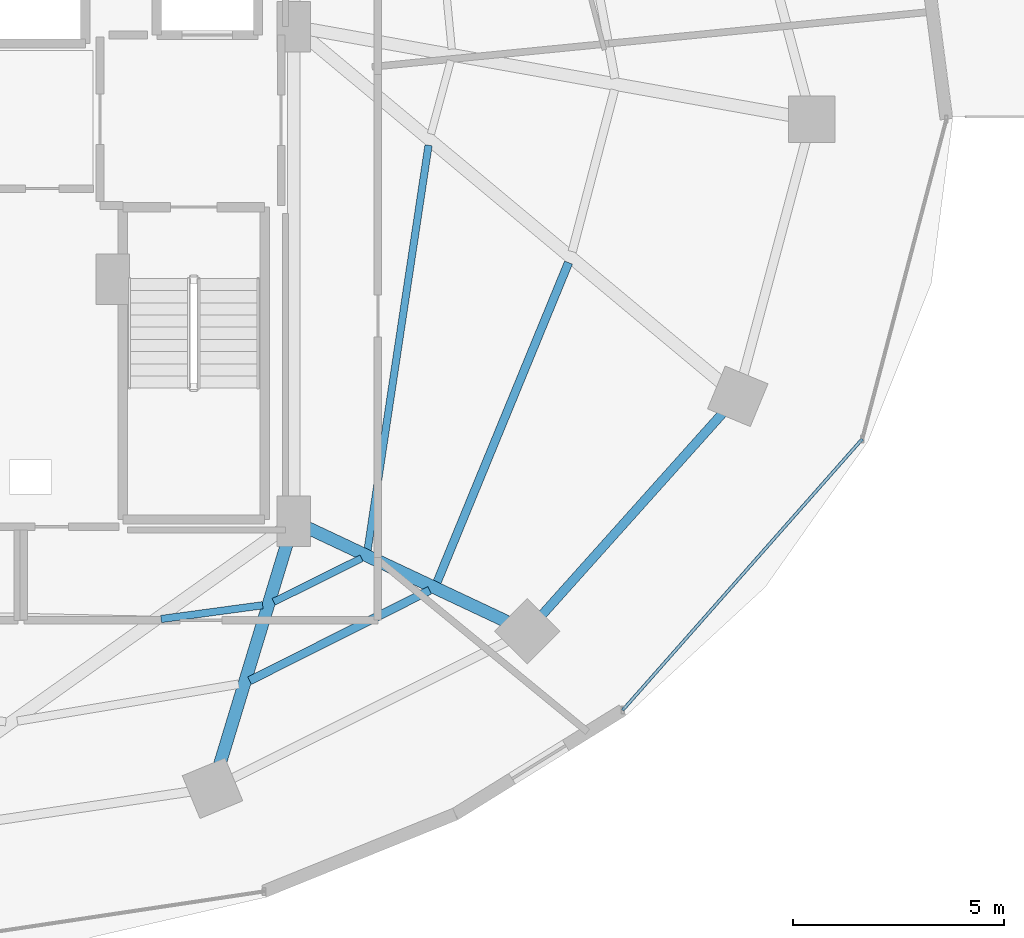
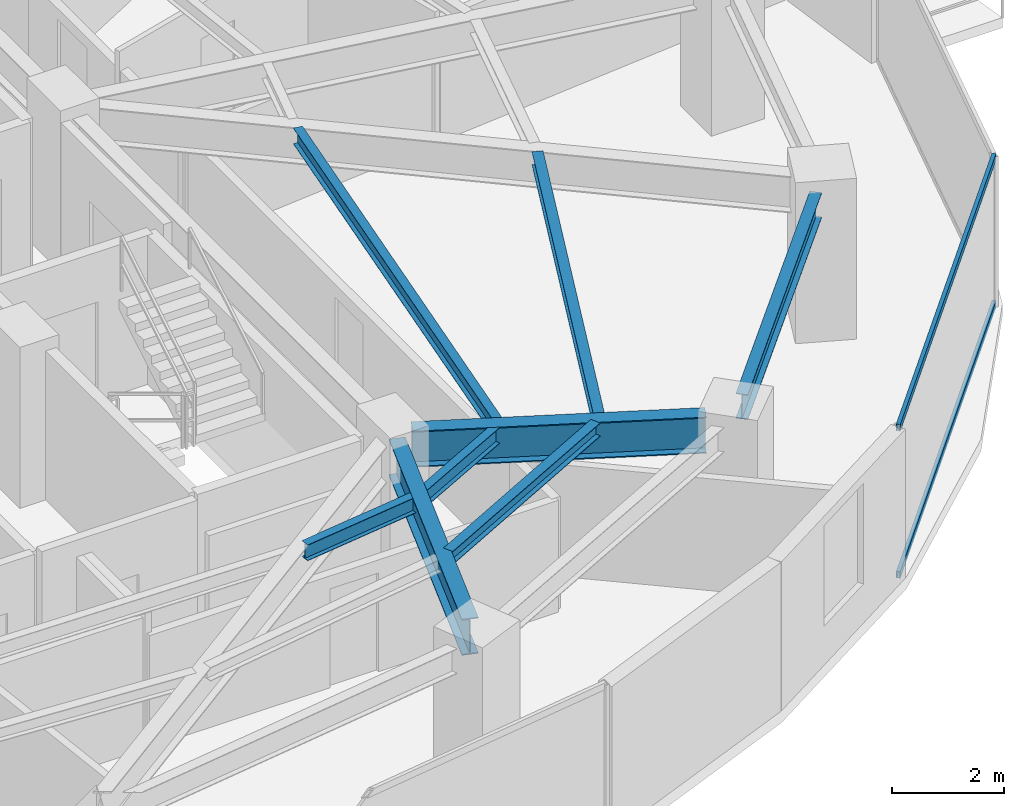
# One storey, part 12 of 29: 8 beams, 2 members, 1 element without a shape of its own.
"""IFC4 building model written with IfcOpenShell, lengths in metres."""

import ifcopenshell
import ifcopenshell.guid

model = None  # the IFC model being written
_history = None  # IfcOwnerHistory: only IFC2X3 demands one
_inside = {}  # id of a spatial element -> (the spatial element, [elements in it])
_under = {}  # id of a project, library or spatial element -> (it, [spatial elements below it])
_declared = {}  # id of a project -> (the project, [libraries it declares])
_typed = {}  # id of a type object -> (the type object, [elements of that type])
_made_of = {}  # id of a material, layer set ... -> (it, [elements and type objects made of it])


def new_model(schema):
    """Start an empty IFC model of exactly this schema.

    Asked for "IFC4X3", IfcOpenShell would pick the latest addendum, in which some entities
    have other attributes; the version numbers below select the first issue.
    IFC2X3 requires an IfcOwnerHistory on every rooted entity: one is made here for all.
    """
    global model, _history
    if schema == "IFC4X3":
        model = ifcopenshell.file(schema_version=(4, 3, 0, 0))
    else:
        model = ifcopenshell.file(schema=schema)
    _inside.clear()
    _under.clear()
    _declared.clear()
    _typed.clear()
    _made_of.clear()
    _history = None
    if model.schema == "IFC2X3":
        org = make("IfcOrganization", Name="unknown")
        user = make(
            "IfcPersonAndOrganization",
            ThePerson=make("IfcPerson", FamilyName="unknown"),
            TheOrganization=org,
        )
        app = make(
            "IfcApplication",
            ApplicationDeveloper=org,
            Version="unknown",
            ApplicationFullName="unknown",
            ApplicationIdentifier="unknown",
        )
        _history = make(
            "IfcOwnerHistory",
            OwningUser=user,
            OwningApplication=app,
            ChangeAction="ADDED",
            CreationDate=0,
        )
    return model


def make(cls, **values):
    """One entity of the class cls with the attributes given. An attribute that is None is left unset."""
    return model.create_entity(
        cls, **{name: value for name, value in values.items() if value is not None}
    )


def rooted(cls, **values):
    """An entity with a GlobalId (a new one), such as an element, a storey or a relation."""
    return make(cls, GlobalId=ifcopenshell.guid.new(), OwnerHistory=_history, **values)


def si_unit(unit_type, name, prefix=None):
    """IfcSIUnit, for example si_unit("LENGTHUNIT", "METRE", prefix="MILLI")."""
    return make("IfcSIUnit", UnitType=unit_type, Prefix=prefix, Name=name)


def assignment(units):
    """IfcUnitAssignment: the units of a project."""
    return None if units is None else make("IfcUnitAssignment", Units=units)


def point(xyz):
    """IfcCartesianPoint."""
    return None if xyz is None else make("IfcCartesianPoint", Coordinates=xyz)


def direction(xyz):
    """IfcDirection."""
    return None if xyz is None else make("IfcDirection", DirectionRatios=xyz)


def frame(location, z_axis=None, x_axis=None):
    """IfcAxis2Placement3D, a coordinate frame: its origin and axes. An axis left out is left unset."""
    return make(
        "IfcAxis2Placement3D",
        Location=point(location),
        Axis=direction(z_axis),
        RefDirection=direction(x_axis),
    )


def frame_2d(location, x_axis=None):
    """IfcAxis2Placement2D, a coordinate frame in the plane: its origin and x axis."""
    return make(
        "IfcAxis2Placement2D", Location=point(location), RefDirection=direction(x_axis)
    )


def origin():
    """The frame at (0, 0, 0) with its axes left unset."""
    return frame((0.0, 0.0, 0.0))


def origin_2d():
    """The frame at (0, 0) in the plane with its x axis left unset."""
    return frame_2d((0.0, 0.0))


def place(relative_to, where):
    """IfcLocalPlacement: puts the frame where relative to a parent placement (None: the world)."""
    return make(
        "IfcLocalPlacement", PlacementRelTo=relative_to, RelativePlacement=where
    )


def context(
    kind, dimensions, precision=None, world=None, true_north=None, identifier=None
):
    """IfcGeometricRepresentationContext, for example the 3D "Model" context."""
    return make(
        "IfcGeometricRepresentationContext",
        ContextIdentifier=identifier,
        ContextType=kind,
        CoordinateSpaceDimension=dimensions,
        Precision=precision,
        WorldCoordinateSystem=world,
        TrueNorth=true_north,
    )


def subcontext(parent, identifier, kind, view, scale=None):
    """IfcGeometricRepresentationSubContext, for example "Body" below "Model"."""
    return make(
        "IfcGeometricRepresentationSubContext",
        ContextIdentifier=identifier,
        ContextType=kind,
        ParentContext=parent,
        TargetScale=scale,
        TargetView=view,
    )


def project(units=None, contexts=None):
    """IfcProject with its units and contexts."""
    return rooted(
        "IfcProject",
        Name="project",
        RepresentationContexts=contexts,
        UnitsInContext=assignment(units),
    )


def spatial(cls, under=None, at=None, **own):
    """A site, building, storey or space (cls), placed at a placement, below another one or the project."""
    s = rooted(cls, ObjectPlacement=at, **own)
    if under is not None:
        _under.setdefault(under.id(), (under, []))[1].append(s)
    return s


def profile(cls, at=None, kind="AREA", **sizes):
    """A parametric profile (cls). Its sizes go by their IFC names, for example OverallWidth=200.0."""
    return make(cls, ProfileType=kind, Position=at, **sizes)


def hollow_rectangle(**sizes):
    """IfcRectangleHollowProfileDef."""
    return profile("IfcRectangleHollowProfileDef", **sizes)


def i_section(**sizes):
    """IfcIShapeProfileDef."""
    return profile("IfcIShapeProfileDef", **sizes)


def extrude(swept, where, along, depth):
    """IfcExtrudedAreaSolid: the profile swept, set in the frame where, extruded along a direction by depth."""
    return make(
        "IfcExtrudedAreaSolid",
        SweptArea=swept,
        Position=where,
        ExtrudedDirection=direction(along),
        Depth=depth,
    )


def shape(context_of_items, identifier, shape_type, items):
    """IfcShapeRepresentation: the items that make up one representation, for example the "Body"."""
    return make(
        "IfcShapeRepresentation",
        ContextOfItems=context_of_items,
        RepresentationIdentifier=identifier,
        RepresentationType=shape_type,
        Items=items,
    )


def material(Name=None, Category=None):
    """IfcMaterial."""
    return make("IfcMaterial", Name=Name, Category=Category)


def material_profile(
    of_material, cross_section, Name=None, Category=None, Priority=None
):
    """IfcMaterialProfile: a cross section and its material."""
    return make(
        "IfcMaterialProfile",
        Name=Name,
        Material=of_material,
        Profile=cross_section,
        Priority=Priority,
        Category=Category,
    )


def profile_set(profiles, Name=None, composite=None):
    """IfcMaterialProfileSet."""
    return make(
        "IfcMaterialProfileSet",
        Name=Name,
        MaterialProfiles=profiles,
        CompositeProfile=composite,
    )


def made_of(thing, what):
    """Note that an element or type object is made of a material, layer set ...; save() writes the relation."""
    if what is not None:
        _made_of.setdefault(what.id(), (what, []))[1].append(thing)
    return thing


def type_object(cls, material=None, **own):
    """A type object (cls), such as IfcWallType, which elements share."""
    return made_of(rooted(cls, **own), material)


def element(
    cls,
    number,
    at=None,
    inside=None,
    cuts=None,
    type_object=None,
    material=None,
    context=None,
    identifier="Body",
    shape_type=None,
    held_by="IfcProductDefinitionShape",
    body=None,
    shapes=None,
    **own,
):
    """One element of the class cls, such as IfcWall. Its Tag is "e" and its number.

    at: its placement. inside: the storey or other place that contains it. cuts: it is an
    opening in that element (IfcRelVoidsElement). A single representation is given by context,
    identifier, shape_type and body (its items); several are given by shapes. held_by: the class
    of the entity that holds the representations. save() writes the other relations.
    """
    e = rooted(cls, Tag="e%d" % number, ObjectPlacement=at, **own)
    if body is not None:
        shapes = [shape(context, identifier, shape_type, body)]
    if shapes is not None:
        e.Representation = make(held_by, Representations=shapes)
    if inside is not None:
        _inside.setdefault(inside.id(), (inside, []))[1].append(e)
    if cuts is not None:
        rooted(
            "IfcRelVoidsElement", RelatingBuildingElement=cuts, RelatedOpeningElement=e
        )
    if type_object is not None:
        _typed.setdefault(type_object.id(), (type_object, []))[1].append(e)
    return made_of(e, material)


def aggregate(whole, parts):
    """IfcRelAggregates: a whole, such as a stair, and the parts it consists of."""
    return rooted("IfcRelAggregates", RelatingObject=whole, RelatedObjects=parts)


def save(model, path):
    """Write the relations noted so far, then the file.

    IfcRelAggregates (storeys below a building ...), IfcRelContainedInSpatialStructure (elements
    in a storey), IfcRelDefinesByType, IfcRelAssociatesMaterial and IfcRelDeclares: one each for
    every whole, place, type object, material and project.
    """
    for whole, parts in _under.values():
        aggregate(whole, parts)
    for where, things in _inside.values():
        rooted(
            "IfcRelContainedInSpatialStructure",
            RelatedElements=things,
            RelatingStructure=where,
        )
    for kind, things in _typed.values():
        rooted("IfcRelDefinesByType", RelatedObjects=things, RelatingType=kind)
    for what, things in _made_of.values():
        rooted("IfcRelAssociatesMaterial", RelatedObjects=things, RelatingMaterial=what)
    for by, libraries in _declared.values():
        rooted("IfcRelDeclares", RelatingContext=by, RelatedDefinitions=libraries)
    model.write(path)


model = new_model("IFC4")

# Units and contexts
model_context = context("Model", 3, precision=1e-05, world=origin(), true_north=direction((0.0, 1.0)))
body_context = subcontext(model_context, "Body", "Model", "MODEL_VIEW")
ifc_project = project(units=[si_unit("LENGTHUNIT", "METRE"), si_unit("AREAUNIT", "SQUARE_METRE"), si_unit("VOLUMEUNIT", "CUBIC_METRE"), si_unit("PLANEANGLEUNIT", "RADIAN"), si_unit("MASSUNIT", "GRAM", prefix="KILO")], contexts=[model_context])

# Site, building, storey
site_placement = place(None, origin())
site = spatial("IfcSite", under=ifc_project, at=site_placement, CompositionType="ELEMENT")
building_placement = place(site_placement, origin())
building = spatial("IfcBuilding", under=site, at=building_placement, Name="Vorneva Point Tower", CompositionType="ELEMENT")
storey_placement = place(building_placement, frame((0.0, 0.0, 117.300048828125)))
storey = spatial("IfcBuildingStorey", under=building, at=storey_placement, Name="L31", CompositionType="ELEMENT", Elevation=117.300048828125)

# Beams
ifc_material_1 = material(Name="Steel S355", Category="steel")
ifc_material_profile_1 = material_profile(ifc_material_1, i_section(OverallWidth=0.300048828125, OverallDepth=0.7880859375, WebThickness=0.014404296875, FlangeThickness=0.02197265625, at=origin_2d()), Name="80Sh1")
ifc_profile_set_1 = profile_set([ifc_material_profile_1], Name="Steel S355")
beam_type_1 = type_object("IfcBeamType", Name="BM-GRD-80Sh1", PredefinedType="USERDEFINED", material=ifc_profile_set_1)
beam_1_placement = place(storey_placement, frame((46.9775390625, 10.6240234375, 2.845947265625), z_axis=(0.291034888253, 0.956712440506, 0.0), x_axis=(-0.956712440506, 0.291034888253, 0.0)))
element("IfcBeam", 1, at=beam_1_placement, inside=storey, type_object=beam_type_1, Name="L31 Radial Primary Girder 14", ObjectType="GIRDER", PredefinedType="USERDEFINED", context=body_context, shape_type="SweptSolid", body=[
    extrude(i_section(OverallWidth=0.300048828125, OverallDepth=0.7880859375, WebThickness=0.014404296875, FlangeThickness=0.02197265625, at=origin_2d()), origin(), (0.0, 0.0, 1.0), 5.74951171875),
])
beam_2_placement = place(storey_placement, frame((53.81201171875, 14.06689453125, 2.845947265625), z_axis=(-0.904751304927, 0.425940226126, 0.0), x_axis=(-0.425940226126, -0.904751304927, 0.0)))
element("IfcBeam", 2, at=beam_2_placement, inside=storey, type_object=beam_type_1, Name="L31 Radial Primary Girder 15", ObjectType="GIRDER", PredefinedType="USERDEFINED", context=body_context, shape_type="SweptSolid", body=[
    extrude(i_section(OverallWidth=0.300048828125, OverallDepth=0.7880859375, WebThickness=0.014404296875, FlangeThickness=0.02197265625, at=origin_2d()), origin(), (0.0, 0.0, 1.0), 5.2548828125),
])
ifc_material_profile_2 = material_profile(ifc_material_1, i_section(OverallWidth=0.199951171875, OverallDepth=0.291015625, WebThickness=0.008056640625, FlangeThickness=0.010986328125, at=origin_2d()), Name="30Sh1")
ifc_profile_set_2 = profile_set([ifc_material_profile_2], Name="Steel S355")
beam_type_2 = type_object("IfcBeamType", Name="BM-SEC-30Sh1", PredefinedType="BEAM", material=ifc_profile_set_2)
beam_3_placement = place(storey_placement, frame((47.703369140625, 12.666015625, 3.094482421875), z_axis=(0.89376245769, 0.448540599304, 0.0), x_axis=(-0.448540599304, 0.89376245769, 0.0)))
element("IfcBeam", 3, at=beam_3_placement, inside=storey, type_object=beam_type_2, Name="L31 Secondary Floor Beam 1.14", PredefinedType="BEAM", context=body_context, shape_type="SweptSolid", body=[
    extrude(i_section(OverallWidth=0.199951171875, OverallDepth=0.291015625, WebThickness=0.008056640625, FlangeThickness=0.010986328125, at=origin_2d()), origin(), (0.0, 0.0, 1.0), 4.78173828125),
])
beam_4_placement = place(storey_placement, frame((52.15283203125, 15.00048828125, 3.094482421875), z_axis=(0.380401314352, 0.924821517937, 0.0), x_axis=(-0.924821517937, 0.380401314352, 0.0)))
element("IfcBeam", 4, at=beam_4_placement, inside=storey, type_object=beam_type_2, Name="L31 Secondary Floor Beam 1.15", PredefinedType="BEAM", context=body_context, shape_type="SweptSolid", body=[
    extrude(i_section(OverallWidth=0.199951171875, OverallDepth=0.291015625, WebThickness=0.008056640625, FlangeThickness=0.010986328125, at=origin_2d()), origin(), (0.0, 0.0, 1.0), 8.21044921875),
])
ifc_material_profile_3 = material_profile(ifc_material_1, i_section(OverallWidth=0.174072265625, OverallDepth=0.345947265625, WebThickness=0.006103515625, FlangeThickness=0.009033203125, at=origin_2d()), Name="35B1")
ifc_profile_set_3 = profile_set([ifc_material_profile_3], Name="Steel S355")
beam_type_3 = type_object("IfcBeamType", Name="BM-SEC-35B1", PredefinedType="BEAM", material=ifc_profile_set_3)
beam_5_placement = place(storey_placement, frame((45.599365234375, 14.129150390625, 3.06689453125), z_axis=(0.990946337879, 0.134258539555, 0.0), x_axis=(-0.134258539555, 0.990946337879, 0.0)))
element("IfcBeam", 5, at=beam_5_placement, inside=storey, type_object=beam_type_3, Name="L31 Secondary Floor Beam 2.13", PredefinedType="BEAM", context=body_context, shape_type="SweptSolid", body=[
    extrude(i_section(OverallWidth=0.174072265625, OverallDepth=0.345947265625, WebThickness=0.006103515625, FlangeThickness=0.009033203125, at=origin_2d()), origin(), (0.0, 0.0, 1.0), 2.434814453125),
])
beam_6_placement = place(storey_placement, frame((48.272705078125, 14.535888671875, 3.06689453125), z_axis=(0.89565974577, 0.444739946268, 0.0), x_axis=(-0.444739946268, 0.89565974577, 0.0)))
element("IfcBeam", 6, at=beam_6_placement, inside=storey, type_object=beam_type_3, Name="L31 Secondary Floor Beam 2.14", PredefinedType="BEAM", context=body_context, shape_type="SweptSolid", body=[
    extrude(i_section(OverallWidth=0.174072265625, OverallDepth=0.345947265625, WebThickness=0.006103515625, FlangeThickness=0.009033203125, at=origin_2d()), origin(), (0.0, 0.0, 1.0), 2.330810546875),
])
beam_7_placement = place(storey_placement, frame((50.50439453125, 15.770263671875, 3.06689453125), z_axis=(0.148950979938, 0.988844581102, 0.0), x_axis=(-0.988844581102, 0.148950979938, 0.0)))
element("IfcBeam", 7, at=beam_7_placement, inside=storey, type_object=beam_type_3, Name="L31 Secondary Floor Beam 2.15", PredefinedType="BEAM", context=body_context, shape_type="SweptSolid", body=[
    extrude(i_section(OverallWidth=0.174072265625, OverallDepth=0.345947265625, WebThickness=0.006103515625, FlangeThickness=0.009033203125, at=origin_2d()), origin(), (0.0, 0.0, 1.0), 9.718017578125),
])
ifc_material_profile_4 = material_profile(ifc_material_1, i_section(OverallWidth=0.219970703125, OverallDepth=0.54296875, WebThickness=0.009521484375, FlangeThickness=0.013427734375, at=origin_2d()), Name="55B1")
ifc_profile_set_4 = profile_set([ifc_material_profile_4], Name="Steel S355")
beam_type_4 = type_object("IfcBeamType", Name="BM-SPN-55B1", PredefinedType="SPANDREL", material=ifc_profile_set_4)
beam_8_placement = place(storey_placement, frame((54.65576171875, 14.236328125, 2.968505859375), z_axis=(0.667073815664, 0.744991627105, 0.0), x_axis=(-0.744991627105, 0.667073815664, 0.0)))
element("IfcBeam", 8, at=beam_8_placement, inside=storey, type_object=beam_type_4, Name="L31 Perimeter Spandrel Ring Beam 15", PredefinedType="SPANDREL", context=body_context, shape_type="SweptSolid", body=[
    extrude(i_section(OverallWidth=0.219970703125, OverallDepth=0.54296875, WebThickness=0.009521484375, FlangeThickness=0.013427734375, at=origin_2d()), origin(), (0.0, 0.0, 1.0), 6.420166015625),
])

# Curtain wall, members
ifc_material_2 = material(Name="Pale anodised aluminium", Category="aluminium")
curtain_wall_type = type_object("IfcCurtainWallType", Name="CW-HTL-SYS", PredefinedType="NOTDEFINED", material=ifc_material_2)
curtain_wall_placement = place(storey_placement, origin())
curtain_wall = element("IfcCurtainWall", 9, at=curtain_wall_placement, inside=storey, type_object=curtain_wall_type, Name="L31 Unitised Curtain Wall CW-L31-R04", PredefinedType="NOTDEFINED")
ifc_material_profile_5 = material_profile(ifc_material_2, hollow_rectangle(XDim=0.074951171875, YDim=0.14990234375, WallThickness=0.00390625, at=origin_2d()), Name="AL-TRN 150x75x4")
ifc_profile_set_5 = profile_set([ifc_material_profile_5], Name="Pale anodised aluminium")
member_type = type_object("IfcMemberType", Name="CW-TRN-150", PredefinedType="USERDEFINED", material=ifc_profile_set_5)
member_1_placement = place(storey_placement, frame((56.5615234375, 11.9638671875, 0.02001953125), z_axis=(0.662137326257, 0.74938251993, 0.0), x_axis=(-0.74938251993, 0.662137326257, 0.0)))
member_1 = element("IfcMember", 10, at=member_1_placement, type_object=member_type, Name="CW-L31-R04 Transom 01.1", ObjectType="TRANSOM", PredefinedType="USERDEFINED", context=body_context, shape_type="SweptSolid", body=[
    extrude(hollow_rectangle(XDim=0.074951171875, YDim=0.14990234375, WallThickness=0.00390625, at=origin_2d()), origin(), (0.0, 0.0, 1.0), 8.59375),
])
member_2_placement = place(storey_placement, frame((56.5615234375, 11.9638671875, 3.219970703125), z_axis=(0.662137326257, 0.74938251993, 0.0), x_axis=(-0.74938251993, 0.662137326257, 0.0)))
member_2 = element("IfcMember", 11, at=member_2_placement, type_object=member_type, Name="CW-L31-R04 Transom 01.2", ObjectType="TRANSOM", PredefinedType="USERDEFINED", context=body_context, shape_type="SweptSolid", body=[
    extrude(hollow_rectangle(XDim=0.074951171875, YDim=0.14990234375, WallThickness=0.00390625, at=origin_2d()), origin(), (0.0, 0.0, 1.0), 8.59375),
])
aggregate(curtain_wall, [member_1, member_2])

save(model, "model.ifc")
